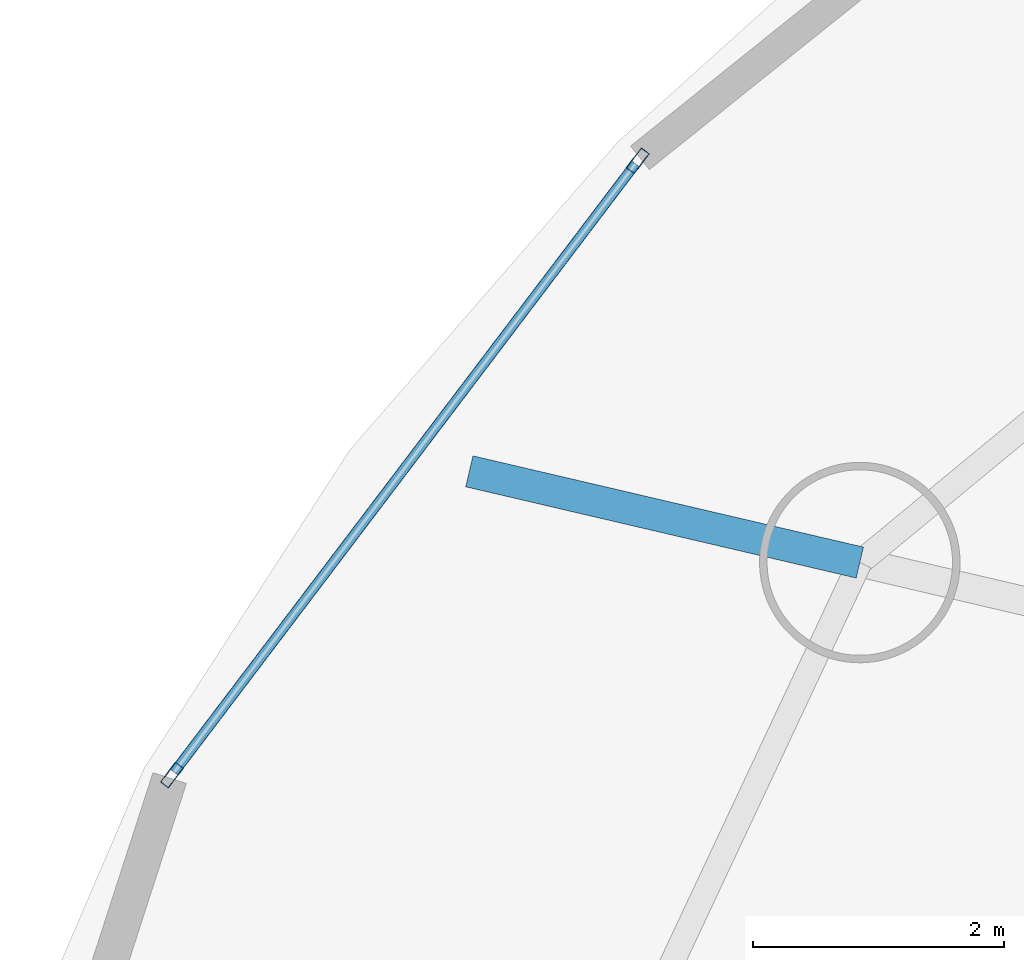
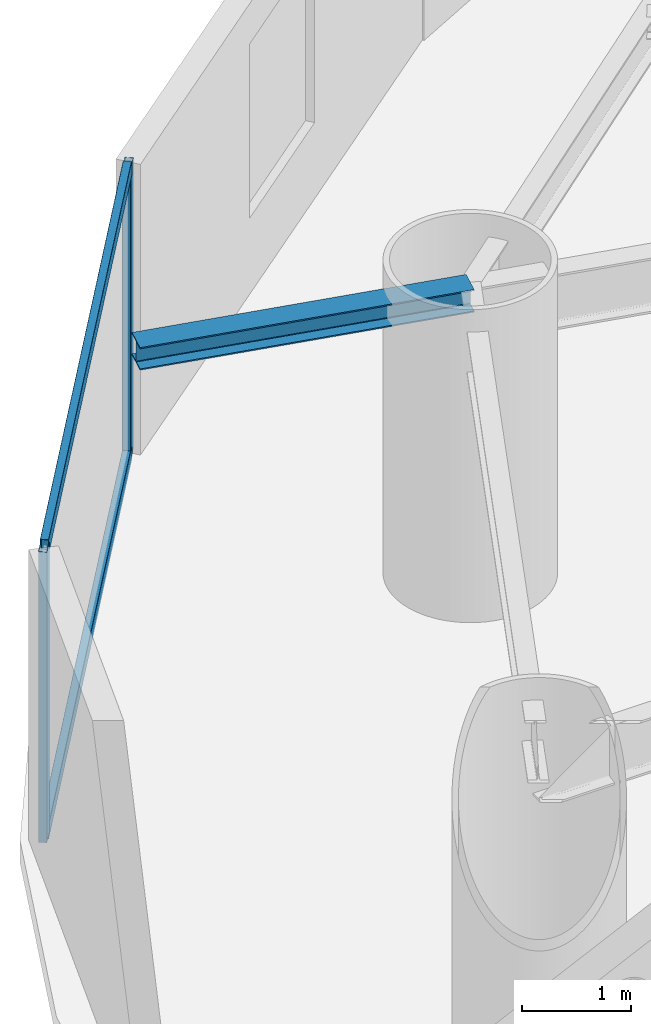
# One storey, part 7 of 19: 4 members, 1 beam, 1 element without a shape of its own.
"""IFC4 building model written with IfcOpenShell, lengths in metres."""

from ifc_helpers import new_model, si_unit, direction, frame, origin, origin_2d, place, context, subcontext, project, spatial, hollow_rectangle, i_section, extrude, material, layer, layer_set, material_profile, profile_set, type_object, element, aggregate, save


model = new_model("IFC4")

# Units and contexts
model_context = context("Model", 3, precision=1e-05, world=origin(), true_north=direction((0.0, 1.0)))
body_context = subcontext(model_context, "Body", "Model", "MODEL_VIEW")
ifc_project = project(units=[si_unit("LENGTHUNIT", "METRE"), si_unit("AREAUNIT", "SQUARE_METRE"), si_unit("VOLUMEUNIT", "CUBIC_METRE"), si_unit("PLANEANGLEUNIT", "RADIAN"), si_unit("MASSUNIT", "GRAM", prefix="KILO")], contexts=[model_context])

# Site, building, storey
site_placement = place(None, origin())
site = spatial("IfcSite", under=ifc_project, at=site_placement, CompositionType="ELEMENT")
building_placement = place(site_placement, origin())
building = spatial("IfcBuilding", under=site, at=building_placement, Name="Bramvorn Convention Spire", CompositionType="ELEMENT")
storey_placement = place(building_placement, frame((0.0, 0.0, 62.39990234375)))
storey = spatial("IfcBuildingStorey", under=building, at=storey_placement, Name="L13", CompositionType="ELEMENT", Elevation=62.39990234375)

# Beam
ifc_material_1 = material(Name="Steel CSA G40.21 Grade 350 (350W)", Category="steel")
ifc_material_profile_1 = material_profile(ifc_material_1, i_section(OverallWidth=0.25390625, OverallDepth=0.2529296875, WebThickness=0.008544921875, FlangeThickness=0.01416015625, FilletRadius=0.011962890625, at=origin_2d()))
ifc_profile_set_1 = profile_set([ifc_material_profile_1], Name="Steel CSA G40.21 Grade 350 (350W) - W250X73")
beam_type = type_object("IfcBeamType", Name="BM-W250X73", PredefinedType="BEAM", material=ifc_profile_set_1)
beam_placement = place(storey_placement, frame((12.64111328125, 36.746337890625, 3.12353515625), z_axis=(-0.973778145797, 0.227499720367, 0.0), x_axis=(-0.227499720367, -0.973778145797, 0.0)))
element("IfcBeam", 1, at=beam_placement, inside=storey, type_object=beam_type, Name="L13 slab-edge cantilever tip beam MC08", PredefinedType="BEAM", context=body_context, shape_type="SweptSolid", body=[
    extrude(i_section(OverallWidth=0.25390625, OverallDepth=0.2529296875, WebThickness=0.008544921875, FlangeThickness=0.01416015625, FilletRadius=0.011962890625, at=origin_2d()), origin(), (0.0, 0.0, 1.0), 3.2001953125),
])

# Curtain wall, members
ifc_material_2 = material(Name="Anodised Bronze Unitised Curtain Wall", Category="aluminium")
ifc_layer = layer(ifc_material_2, 0.179931640625)
ifc_layer_set = layer_set([ifc_layer], Name="Anodised Bronze Unitised Curtain Wall - CW-HTL-FRIT")
curtain_wall_type = type_object("IfcCurtainWallType", Name="CW-HTL-FRIT", PredefinedType="USERDEFINED", material=ifc_layer_set)
curtain_wall_placement = place(storey_placement, origin())
curtain_wall = element("IfcCurtainWall", 2, at=curtain_wall_placement, inside=storey, type_object=curtain_wall_type, Name="L13 fritted glass curtain wall 11", ObjectType="UNITISED CURTAIN WALL", PredefinedType="USERDEFINED")
ifc_material_3 = material(Name="Anodised Bronze Aluminium 6063-T6", Category="aluminium")
ifc_material_profile_2 = material_profile(ifc_material_3, hollow_rectangle(XDim=0.080078125, YDim=0.199951171875, WallThickness=0.00390625, InnerFilletRadius=0.0009765625, OuterFilletRadius=0.00390625, at=origin_2d()))
ifc_profile_set_2 = profile_set([ifc_material_profile_2], Name="Anodised Bronze Aluminium 6063-T6 - CWM80X200")
member_type_1 = type_object("IfcMemberType", Name="CW-MUL-180", PredefinedType="MULLION", material=ifc_profile_set_2)
member_1_placement = place(storey_placement, frame((7.15185546875, 35.050048828125, 0.0), z_axis=(0.0, 0.0, 1.0), x_axis=(-0.796836382407, 0.604195150322, 0.0)))
member_1 = element("IfcMember", 3, at=member_1_placement, type_object=member_type_1, Name="CW2 mullion 1", PredefinedType="MULLION", context=body_context, shape_type="SweptSolid", body=[
    extrude(hollow_rectangle(XDim=0.080078125, YDim=0.199951171875, WallThickness=0.00390625, InnerFilletRadius=0.0009765625, OuterFilletRadius=0.00390625, at=origin_2d()), origin(), (0.0, 0.0, 1.0), 3.25),
])
member_2_placement = place(storey_placement, frame((10.868896484375, 39.952392578125, 0.0), z_axis=(0.0, 0.0, 1.0), x_axis=(-0.796836382407, 0.604195150322, 0.0)))
member_2 = element("IfcMember", 4, at=member_2_placement, type_object=member_type_1, Name="CW2 mullion 2", PredefinedType="MULLION", context=body_context, shape_type="SweptSolid", body=[
    extrude(hollow_rectangle(XDim=0.080078125, YDim=0.199951171875, WallThickness=0.00390625, InnerFilletRadius=0.0009765625, OuterFilletRadius=0.00390625, at=origin_2d()), origin(), (0.0, 0.0, 1.0), 3.25),
])
ifc_material_profile_3 = material_profile(ifc_material_3, hollow_rectangle(XDim=0.080078125, YDim=0.159912109375, WallThickness=0.00390625, InnerFilletRadius=0.0009765625, OuterFilletRadius=0.00390625, at=origin_2d()))
ifc_profile_set_3 = profile_set([ifc_material_profile_3], Name="Anodised Bronze Aluminium 6063-T6 - CWT80X160")
member_type_2 = type_object("IfcMemberType", Name="CW-TRN-150", PredefinedType="USERDEFINED", material=ifc_profile_set_3)
member_3_placement = place(storey_placement, frame((7.169921875, 35.073974609375, 0.030029296875), z_axis=(0.604197889126, 0.796834305722, 0.0), x_axis=(-0.796834305722, 0.604197889126, 0.0)))
member_3 = element("IfcMember", 5, at=member_3_placement, type_object=member_type_2, Name="CW2 transom 1.1", ObjectType="TRANSOM", PredefinedType="USERDEFINED", context=body_context, shape_type="SweptSolid", body=[
    extrude(hollow_rectangle(XDim=0.080078125, YDim=0.159912109375, WallThickness=0.00390625, InnerFilletRadius=0.0009765625, OuterFilletRadius=0.00390625, at=origin_2d()), origin(), (0.0, 0.0, 1.0), 6.09228515625),
])
member_4_placement = place(storey_placement, frame((7.169921875, 35.073974609375, 3.22021484375), z_axis=(0.604197889126, 0.796834305722, 0.0), x_axis=(-0.796834305722, 0.604197889126, 0.0)))
member_4 = element("IfcMember", 6, at=member_4_placement, type_object=member_type_2, Name="CW2 transom 1.2", ObjectType="TRANSOM", PredefinedType="USERDEFINED", context=body_context, shape_type="SweptSolid", body=[
    extrude(hollow_rectangle(XDim=0.080078125, YDim=0.159912109375, WallThickness=0.00390625, InnerFilletRadius=0.0009765625, OuterFilletRadius=0.00390625, at=origin_2d()), origin(), (0.0, 0.0, 1.0), 6.09228515625),
])
aggregate(curtain_wall, [member_1, member_2, member_3, member_4])

save(model, "model.ifc")
